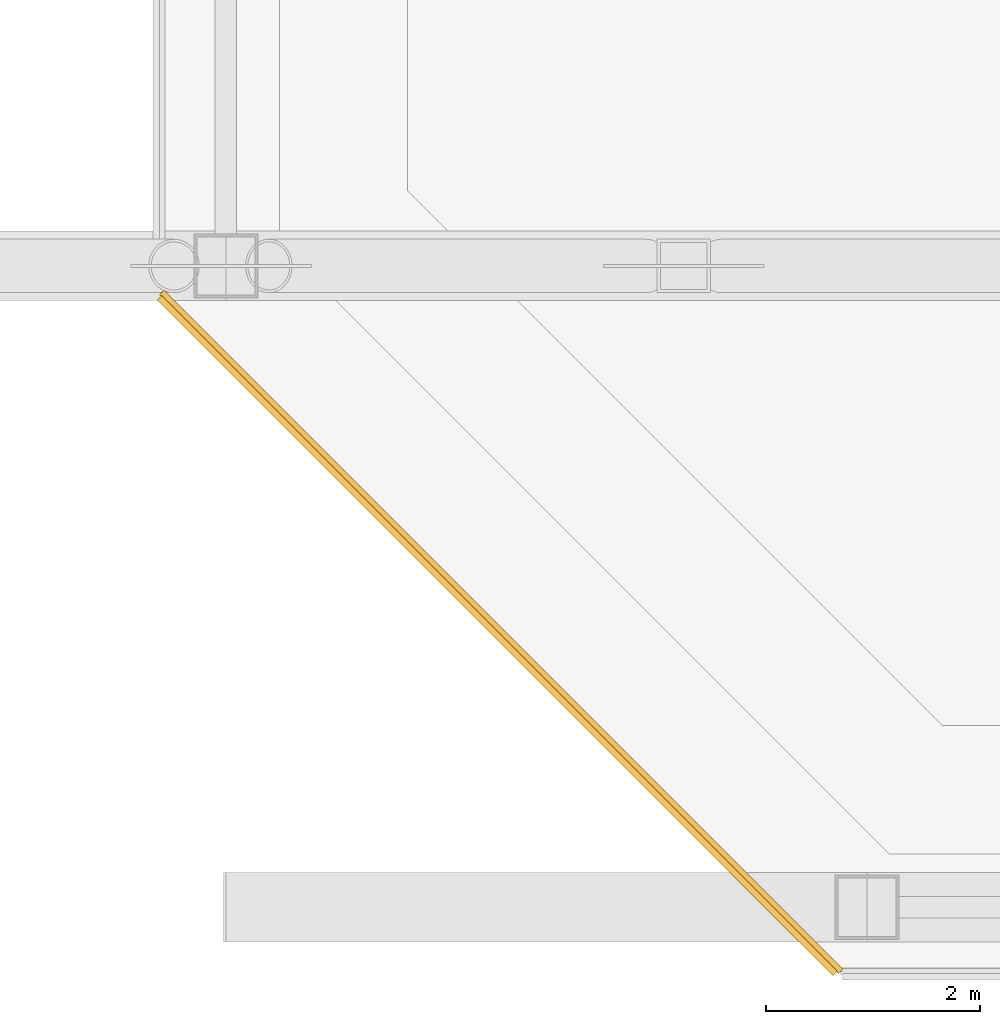
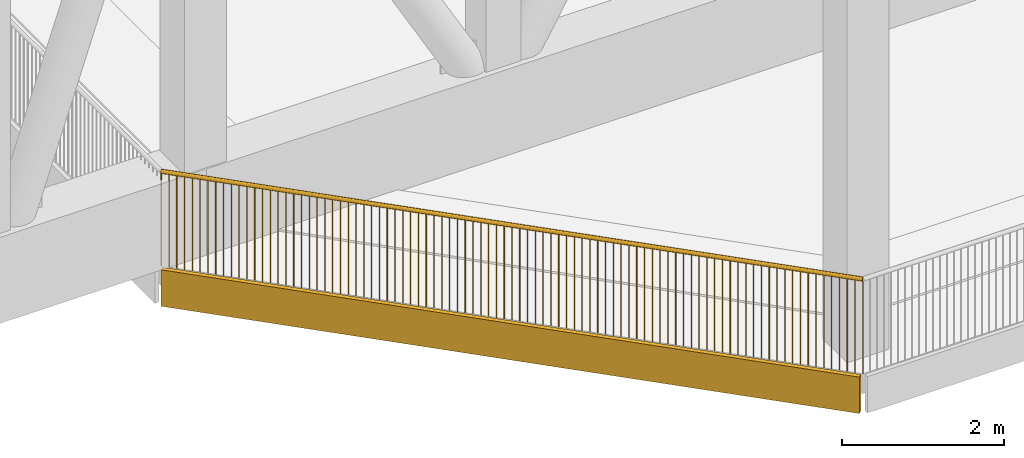
# One storey, part 16 of 22: 1 covering, 1 railing.
"""IFC4 building model written with IfcOpenShell, lengths in metres."""

import ifcopenshell
import ifcopenshell.guid

model = None  # the IFC model being written
_history = None  # IfcOwnerHistory: only IFC2X3 demands one
_inside = {}  # id of a spatial element -> (the spatial element, [elements in it])
_under = {}  # id of a project, library or spatial element -> (it, [spatial elements below it])
_declared = {}  # id of a project -> (the project, [libraries it declares])
_typed = {}  # id of a type object -> (the type object, [elements of that type])
_made_of = {}  # id of a material, layer set ... -> (it, [elements and type objects made of it])


def new_model(schema):
    """Start an empty IFC model of exactly this schema.

    Asked for "IFC4X3", IfcOpenShell would pick the latest addendum, in which some entities
    have other attributes; the version numbers below select the first issue.
    IFC2X3 requires an IfcOwnerHistory on every rooted entity: one is made here for all.
    """
    global model, _history
    if schema == "IFC4X3":
        model = ifcopenshell.file(schema_version=(4, 3, 0, 0))
    else:
        model = ifcopenshell.file(schema=schema)
    _inside.clear()
    _under.clear()
    _declared.clear()
    _typed.clear()
    _made_of.clear()
    _history = None
    if model.schema == "IFC2X3":
        org = make("IfcOrganization", Name="unknown")
        user = make(
            "IfcPersonAndOrganization",
            ThePerson=make("IfcPerson", FamilyName="unknown"),
            TheOrganization=org,
        )
        app = make(
            "IfcApplication",
            ApplicationDeveloper=org,
            Version="unknown",
            ApplicationFullName="unknown",
            ApplicationIdentifier="unknown",
        )
        _history = make(
            "IfcOwnerHistory",
            OwningUser=user,
            OwningApplication=app,
            ChangeAction="ADDED",
            CreationDate=0,
        )
    return model


def make(cls, **values):
    """One entity of the class cls with the attributes given. An attribute that is None is left unset."""
    return model.create_entity(
        cls, **{name: value for name, value in values.items() if value is not None}
    )


def rooted(cls, **values):
    """An entity with a GlobalId (a new one), such as an element, a storey or a relation."""
    return make(cls, GlobalId=ifcopenshell.guid.new(), OwnerHistory=_history, **values)


def si_unit(unit_type, name, prefix=None):
    """IfcSIUnit, for example si_unit("LENGTHUNIT", "METRE", prefix="MILLI")."""
    return make("IfcSIUnit", UnitType=unit_type, Prefix=prefix, Name=name)


def assignment(units):
    """IfcUnitAssignment: the units of a project."""
    return None if units is None else make("IfcUnitAssignment", Units=units)


def point(xyz):
    """IfcCartesianPoint."""
    return None if xyz is None else make("IfcCartesianPoint", Coordinates=xyz)


def direction(xyz):
    """IfcDirection."""
    return None if xyz is None else make("IfcDirection", DirectionRatios=xyz)


def frame(location, z_axis=None, x_axis=None):
    """IfcAxis2Placement3D, a coordinate frame: its origin and axes. An axis left out is left unset."""
    return make(
        "IfcAxis2Placement3D",
        Location=point(location),
        Axis=direction(z_axis),
        RefDirection=direction(x_axis),
    )


def frame_2d(location, x_axis=None):
    """IfcAxis2Placement2D, a coordinate frame in the plane: its origin and x axis."""
    return make(
        "IfcAxis2Placement2D", Location=point(location), RefDirection=direction(x_axis)
    )


def origin():
    """The frame at (0, 0, 0) with its axes left unset."""
    return frame((0.0, 0.0, 0.0))


def origin_2d():
    """The frame at (0, 0) in the plane with its x axis left unset."""
    return frame_2d((0.0, 0.0))


def place(relative_to, where):
    """IfcLocalPlacement: puts the frame where relative to a parent placement (None: the world)."""
    return make(
        "IfcLocalPlacement", PlacementRelTo=relative_to, RelativePlacement=where
    )


def context(
    kind, dimensions, precision=None, world=None, true_north=None, identifier=None
):
    """IfcGeometricRepresentationContext, for example the 3D "Model" context."""
    return make(
        "IfcGeometricRepresentationContext",
        ContextIdentifier=identifier,
        ContextType=kind,
        CoordinateSpaceDimension=dimensions,
        Precision=precision,
        WorldCoordinateSystem=world,
        TrueNorth=true_north,
    )


def subcontext(parent, identifier, kind, view, scale=None):
    """IfcGeometricRepresentationSubContext, for example "Body" below "Model"."""
    return make(
        "IfcGeometricRepresentationSubContext",
        ContextIdentifier=identifier,
        ContextType=kind,
        ParentContext=parent,
        TargetScale=scale,
        TargetView=view,
    )


def project(units=None, contexts=None):
    """IfcProject with its units and contexts."""
    return rooted(
        "IfcProject",
        Name="project",
        RepresentationContexts=contexts,
        UnitsInContext=assignment(units),
    )


def spatial(cls, under=None, at=None, **own):
    """A site, building, storey or space (cls), placed at a placement, below another one or the project."""
    s = rooted(cls, ObjectPlacement=at, **own)
    if under is not None:
        _under.setdefault(under.id(), (under, []))[1].append(s)
    return s


def polyline(points):
    """IfcPolyline through the points."""
    return make("IfcPolyline", Points=[point(p) for p in points])


def profile(cls, at=None, kind="AREA", **sizes):
    """A parametric profile (cls). Its sizes go by their IFC names, for example OverallWidth=200.0."""
    return make(cls, ProfileType=kind, Position=at, **sizes)


def circle(**sizes):
    """IfcCircleProfileDef."""
    return profile("IfcCircleProfileDef", **sizes)


def outline(outer, holes=None, kind="AREA"):
    """IfcArbitraryClosedProfileDef: a profile drawn as a closed curve; with holes, ...WithVoids."""
    if holes is None:
        return make("IfcArbitraryClosedProfileDef", ProfileType=kind, OuterCurve=outer)
    return make(
        "IfcArbitraryProfileDefWithVoids",
        ProfileType=kind,
        OuterCurve=outer,
        InnerCurves=holes,
    )


def extrude(swept, where, along, depth):
    """IfcExtrudedAreaSolid: the profile swept, set in the frame where, extruded along a direction by depth."""
    return make(
        "IfcExtrudedAreaSolid",
        SweptArea=swept,
        Position=where,
        ExtrudedDirection=direction(along),
        Depth=depth,
    )


def shape(context_of_items, identifier, shape_type, items):
    """IfcShapeRepresentation: the items that make up one representation, for example the "Body"."""
    return make(
        "IfcShapeRepresentation",
        ContextOfItems=context_of_items,
        RepresentationIdentifier=identifier,
        RepresentationType=shape_type,
        Items=items,
    )


def material(Name=None, Category=None):
    """IfcMaterial."""
    return make("IfcMaterial", Name=Name, Category=Category)


def layer(
    of_material, thickness, ventilated=None, Name=None, Category=None, Priority=None
):
    """IfcMaterialLayer: one layer of a wall or slab, of a material (None: an air gap)."""
    return make(
        "IfcMaterialLayer",
        Material=of_material,
        LayerThickness=thickness,
        IsVentilated=ventilated,
        Name=Name,
        Category=Category,
        Priority=Priority,
    )


def layer_set(layers, Name=None):
    """IfcMaterialLayerSet."""
    return make("IfcMaterialLayerSet", MaterialLayers=layers, LayerSetName=Name)


def made_of(thing, what):
    """Note that an element or type object is made of a material, layer set ...; save() writes the relation."""
    if what is not None:
        _made_of.setdefault(what.id(), (what, []))[1].append(thing)
    return thing


def type_object(cls, material=None, **own):
    """A type object (cls), such as IfcWallType, which elements share."""
    return made_of(rooted(cls, **own), material)


def element(
    cls,
    number,
    at=None,
    inside=None,
    cuts=None,
    type_object=None,
    material=None,
    context=None,
    identifier="Body",
    shape_type=None,
    held_by="IfcProductDefinitionShape",
    body=None,
    shapes=None,
    **own,
):
    """One element of the class cls, such as IfcWall. Its Tag is "e" and its number.

    at: its placement. inside: the storey or other place that contains it. cuts: it is an
    opening in that element (IfcRelVoidsElement). A single representation is given by context,
    identifier, shape_type and body (its items); several are given by shapes. held_by: the class
    of the entity that holds the representations. save() writes the other relations.
    """
    e = rooted(cls, Tag="e%d" % number, ObjectPlacement=at, **own)
    if body is not None:
        shapes = [shape(context, identifier, shape_type, body)]
    if shapes is not None:
        e.Representation = make(held_by, Representations=shapes)
    if inside is not None:
        _inside.setdefault(inside.id(), (inside, []))[1].append(e)
    if cuts is not None:
        rooted(
            "IfcRelVoidsElement", RelatingBuildingElement=cuts, RelatedOpeningElement=e
        )
    if type_object is not None:
        _typed.setdefault(type_object.id(), (type_object, []))[1].append(e)
    return made_of(e, material)


def aggregate(whole, parts):
    """IfcRelAggregates: a whole, such as a stair, and the parts it consists of."""
    return rooted("IfcRelAggregates", RelatingObject=whole, RelatedObjects=parts)


def save(model, path):
    """Write the relations noted so far, then the file.

    IfcRelAggregates (storeys below a building ...), IfcRelContainedInSpatialStructure (elements
    in a storey), IfcRelDefinesByType, IfcRelAssociatesMaterial and IfcRelDeclares: one each for
    every whole, place, type object, material and project.
    """
    for whole, parts in _under.values():
        aggregate(whole, parts)
    for where, things in _inside.values():
        rooted(
            "IfcRelContainedInSpatialStructure",
            RelatedElements=things,
            RelatingStructure=where,
        )
    for kind, things in _typed.values():
        rooted("IfcRelDefinesByType", RelatedObjects=things, RelatingType=kind)
    for what, things in _made_of.values():
        rooted("IfcRelAssociatesMaterial", RelatedObjects=things, RelatingMaterial=what)
    for by, libraries in _declared.values():
        rooted("IfcRelDeclares", RelatingContext=by, RelatedDefinitions=libraries)
    model.write(path)


model = new_model("IFC4")

# Units and contexts
model_context = context("Model", 3, precision=1e-05, world=origin(), true_north=direction((0.0, 1.0)))
body_context = subcontext(model_context, "Body", "Model", "MODEL_VIEW")
ifc_project = project(units=[si_unit("LENGTHUNIT", "METRE"), si_unit("AREAUNIT", "SQUARE_METRE"), si_unit("VOLUMEUNIT", "CUBIC_METRE"), si_unit("PLANEANGLEUNIT", "RADIAN"), si_unit("MASSUNIT", "GRAM", prefix="KILO")], contexts=[model_context])

# Site, building, storey
site_placement = place(None, origin())
site = spatial("IfcSite", under=ifc_project, at=site_placement, CompositionType="ELEMENT")
building_placement = place(site_placement, origin())
building = spatial("IfcBuilding", under=site, at=building_placement, Name="Sorahane Residences", CompositionType="ELEMENT")
storey_placement = place(building_placement, frame((0.0, 0.0, 281.800048828125)))
storey = spatial("IfcBuildingStorey", under=building, at=storey_placement, Name="L67", CompositionType="ELEMENT", Elevation=281.800048828125)

# Covering
ifc_material_1 = material(Name="White painted aluminium cladding", Category="aluminium")
ifc_layer = layer(ifc_material_1, 0.06005859375)
ifc_layer_set = layer_set([ifc_layer], Name="Slab edge fascia band white painted aluminium 550")
covering_type = type_object("IfcCoveringType", Name="Slab edge fascia band white painted aluminium 550", PredefinedType="CLADDING", material=ifc_layer_set)
covering_placement = place(storey_placement, frame((-12.5859375, 5.7373046875, -0.275146484375), z_axis=(0.707106781187, -0.707106781187, 0.0), x_axis=(0.707106781187, 0.707106781187, 0.0)))
element("IfcCovering", 1, at=covering_placement, inside=storey, type_object=covering_type, Name="Slab edge fascia white L67 SW1", PredefinedType="CLADDING", context=body_context, shape_type="SweptSolid", body=[
    extrude(outline(polyline([(-0.02001953125, 0.27490234375), (-0.080078125, 0.27490234375), (-0.080078125, -0.27490234375), (-0.02001953125, -0.27490234375), (-0.02001953125, 0.27490234375)])), origin(), (0.0, 0.0, 1.0), 8.9423828125),
])

# Railing
ifc_material_2 = material(Name="Black powder-coated steel", Category="steel")
railing_type = type_object("IfcRailingType", Name="Slot edge guard black steel bars 1460", PredefinedType="GUARDRAIL", material=ifc_material_2)
railing_placement = place(storey_placement, frame((-12.60009765625, 5.75146484375, 0.0)))
element("IfcRailing", 2, at=railing_placement, inside=storey, type_object=railing_type, Name="Slot edge guard L67.8", PredefinedType="GUARDRAIL", context=body_context, shape_type="SweptSolid", body=[
    extrude(circle(Radius=0.030029296875, at=origin_2d()), frame((0.0, 0.0, 1.429931640625), z_axis=(0.707106781187, -0.707106781187, 0.0), x_axis=(0.707106781187, 0.707106781187, 0.0)), (0.0, 0.0, 1.0), 8.982421875),
    extrude(circle(Radius=0.0068359375, at=origin_2d()), origin(), (0.0, 0.0, 1.0), 1.39990234375),
    extrude(circle(Radius=0.0068359375, at=origin_2d()), frame((0.070556640625, -0.070556640625, 0.0)), (0.0, 0.0, 1.0), 1.39990234375),
    extrude(circle(Radius=0.0068359375, at=origin_2d()), frame((0.14111328125, -0.14111328125, 0.0)), (0.0, 0.0, 1.0), 1.39990234375),
    extrude(circle(Radius=0.0068359375, at=origin_2d()), frame((0.211669921875, -0.211669921875, 0.0)), (0.0, 0.0, 1.0), 1.39990234375),
    extrude(circle(Radius=0.0068359375, at=origin_2d()), frame((0.2822265625, -0.2822265625, 0.0)), (0.0, 0.0, 1.0), 1.39990234375),
    extrude(circle(Radius=0.0068359375, at=origin_2d()), frame((0.352783203125, -0.352783203125, 0.0)), (0.0, 0.0, 1.0), 1.39990234375),
    extrude(circle(Radius=0.0068359375, at=origin_2d()), frame((0.42333984375, -0.42333984375, 0.0)), (0.0, 0.0, 1.0), 1.39990234375),
    extrude(circle(Radius=0.0068359375, at=origin_2d()), frame((0.493896484375, -0.493896484375, 0.0)), (0.0, 0.0, 1.0), 1.39990234375),
    extrude(circle(Radius=0.0068359375, at=origin_2d()), frame((0.564697265625, -0.564697265625, 0.0)), (0.0, 0.0, 1.0), 1.39990234375),
    extrude(circle(Radius=0.0068359375, at=origin_2d()), frame((0.63525390625, -0.63525390625, 0.0)), (0.0, 0.0, 1.0), 1.39990234375),
    extrude(circle(Radius=0.0068359375, at=origin_2d()), frame((0.705810546875, -0.705810546875, 0.0)), (0.0, 0.0, 1.0), 1.39990234375),
    extrude(circle(Radius=0.0068359375, at=origin_2d()), frame((0.7763671875, -0.7763671875, 0.0)), (0.0, 0.0, 1.0), 1.39990234375),
    extrude(circle(Radius=0.0068359375, at=origin_2d()), frame((0.846923828125, -0.846923828125, 0.0)), (0.0, 0.0, 1.0), 1.39990234375),
    extrude(circle(Radius=0.0068359375, at=origin_2d()), frame((0.91748046875, -0.91748046875, 0.0)), (0.0, 0.0, 1.0), 1.39990234375),
    extrude(circle(Radius=0.0068359375, at=origin_2d()), frame((0.988037109375, -0.988037109375, 0.0)), (0.0, 0.0, 1.0), 1.39990234375),
    extrude(circle(Radius=0.0068359375, at=origin_2d()), frame((1.05859375, -1.05859375, 0.0)), (0.0, 0.0, 1.0), 1.39990234375),
    extrude(circle(Radius=0.0068359375, at=origin_2d()), frame((1.129150390625, -1.129150390625, 0.0)), (0.0, 0.0, 1.0), 1.39990234375),
    extrude(circle(Radius=0.0068359375, at=origin_2d()), frame((1.19970703125, -1.19970703125, 0.0)), (0.0, 0.0, 1.0), 1.39990234375),
    extrude(circle(Radius=0.0068359375, at=origin_2d()), frame((1.270263671875, -1.270263671875, 0.0)), (0.0, 0.0, 1.0), 1.39990234375),
    extrude(circle(Radius=0.0068359375, at=origin_2d()), frame((1.3408203125, -1.3408203125, 0.0)), (0.0, 0.0, 1.0), 1.39990234375),
    extrude(circle(Radius=0.0068359375, at=origin_2d()), frame((1.411376953125, -1.411376953125, 0.0)), (0.0, 0.0, 1.0), 1.39990234375),
    extrude(circle(Radius=0.0068359375, at=origin_2d()), frame((1.48193359375, -1.48193359375, 0.0)), (0.0, 0.0, 1.0), 1.39990234375),
    extrude(circle(Radius=0.0068359375, at=origin_2d()), frame((1.552490234375, -1.552490234375, 0.0)), (0.0, 0.0, 1.0), 1.39990234375),
    extrude(circle(Radius=0.0068359375, at=origin_2d()), frame((1.623291015625, -1.623291015625, 0.0)), (0.0, 0.0, 1.0), 1.39990234375),
    extrude(circle(Radius=0.0068359375, at=origin_2d()), frame((1.69384765625, -1.69384765625, 0.0)), (0.0, 0.0, 1.0), 1.39990234375),
    extrude(circle(Radius=0.0068359375, at=origin_2d()), frame((1.764404296875, -1.764404296875, 0.0)), (0.0, 0.0, 1.0), 1.39990234375),
    extrude(circle(Radius=0.0068359375, at=origin_2d()), frame((1.8349609375, -1.8349609375, 0.0)), (0.0, 0.0, 1.0), 1.39990234375),
    extrude(circle(Radius=0.0068359375, at=origin_2d()), frame((1.905517578125, -1.905517578125, 0.0)), (0.0, 0.0, 1.0), 1.39990234375),
    extrude(circle(Radius=0.0068359375, at=origin_2d()), frame((1.97607421875, -1.97607421875, 0.0)), (0.0, 0.0, 1.0), 1.39990234375),
    extrude(circle(Radius=0.0068359375, at=origin_2d()), frame((2.046630859375, -2.046630859375, 0.0)), (0.0, 0.0, 1.0), 1.39990234375),
    extrude(circle(Radius=0.0068359375, at=origin_2d()), frame((2.1171875, -2.1171875, 0.0)), (0.0, 0.0, 1.0), 1.39990234375),
    extrude(circle(Radius=0.0068359375, at=origin_2d()), frame((2.187744140625, -2.187744140625, 0.0)), (0.0, 0.0, 1.0), 1.39990234375),
    extrude(circle(Radius=0.0068359375, at=origin_2d()), frame((2.25830078125, -2.25830078125, 0.0)), (0.0, 0.0, 1.0), 1.39990234375),
    extrude(circle(Radius=0.0068359375, at=origin_2d()), frame((2.328857421875, -2.328857421875, 0.0)), (0.0, 0.0, 1.0), 1.39990234375),
    extrude(circle(Radius=0.0068359375, at=origin_2d()), frame((2.3994140625, -2.3994140625, 0.0)), (0.0, 0.0, 1.0), 1.39990234375),
    extrude(circle(Radius=0.0068359375, at=origin_2d()), frame((2.469970703125, -2.469970703125, 0.0)), (0.0, 0.0, 1.0), 1.39990234375),
    extrude(circle(Radius=0.0068359375, at=origin_2d()), frame((2.54052734375, -2.54052734375, 0.0)), (0.0, 0.0, 1.0), 1.39990234375),
    extrude(circle(Radius=0.0068359375, at=origin_2d()), frame((2.611083984375, -2.611083984375, 0.0)), (0.0, 0.0, 1.0), 1.39990234375),
    extrude(circle(Radius=0.0068359375, at=origin_2d()), frame((2.681884765625, -2.681884765625, 0.0)), (0.0, 0.0, 1.0), 1.39990234375),
    extrude(circle(Radius=0.0068359375, at=origin_2d()), frame((2.75244140625, -2.75244140625, 0.0)), (0.0, 0.0, 1.0), 1.39990234375),
    extrude(circle(Radius=0.0068359375, at=origin_2d()), frame((2.822998046875, -2.822998046875, 0.0)), (0.0, 0.0, 1.0), 1.39990234375),
    extrude(circle(Radius=0.0068359375, at=origin_2d()), frame((2.8935546875, -2.8935546875, 0.0)), (0.0, 0.0, 1.0), 1.39990234375),
    extrude(circle(Radius=0.0068359375, at=origin_2d()), frame((2.964111328125, -2.964111328125, 0.0)), (0.0, 0.0, 1.0), 1.39990234375),
    extrude(circle(Radius=0.0068359375, at=origin_2d()), frame((3.03466796875, -3.03466796875, 0.0)), (0.0, 0.0, 1.0), 1.39990234375),
    extrude(circle(Radius=0.0068359375, at=origin_2d()), frame((3.105224609375, -3.105224609375, 0.0)), (0.0, 0.0, 1.0), 1.39990234375),
    extrude(circle(Radius=0.0068359375, at=origin_2d()), frame((3.17578125, -3.17578125, 0.0)), (0.0, 0.0, 1.0), 1.39990234375),
    extrude(circle(Radius=0.0068359375, at=origin_2d()), frame((3.246337890625, -3.246337890625, 0.0)), (0.0, 0.0, 1.0), 1.39990234375),
    extrude(circle(Radius=0.0068359375, at=origin_2d()), frame((3.31689453125, -3.31689453125, 0.0)), (0.0, 0.0, 1.0), 1.39990234375),
    extrude(circle(Radius=0.0068359375, at=origin_2d()), frame((3.387451171875, -3.387451171875, 0.0)), (0.0, 0.0, 1.0), 1.39990234375),
    extrude(circle(Radius=0.0068359375, at=origin_2d()), frame((3.4580078125, -3.4580078125, 0.0)), (0.0, 0.0, 1.0), 1.39990234375),
    extrude(circle(Radius=0.0068359375, at=origin_2d()), frame((3.528564453125, -3.528564453125, 0.0)), (0.0, 0.0, 1.0), 1.39990234375),
    extrude(circle(Radius=0.0068359375, at=origin_2d()), frame((3.59912109375, -3.59912109375, 0.0)), (0.0, 0.0, 1.0), 1.39990234375),
    extrude(circle(Radius=0.0068359375, at=origin_2d()), frame((3.669677734375, -3.669677734375, 0.0)), (0.0, 0.0, 1.0), 1.39990234375),
    extrude(circle(Radius=0.0068359375, at=origin_2d()), frame((3.740478515625, -3.740478515625, 0.0)), (0.0, 0.0, 1.0), 1.39990234375),
    extrude(circle(Radius=0.0068359375, at=origin_2d()), frame((3.81103515625, -3.81103515625, 0.0)), (0.0, 0.0, 1.0), 1.39990234375),
    extrude(circle(Radius=0.0068359375, at=origin_2d()), frame((3.881591796875, -3.881591796875, 0.0)), (0.0, 0.0, 1.0), 1.39990234375),
    extrude(circle(Radius=0.0068359375, at=origin_2d()), frame((3.9521484375, -3.9521484375, 0.0)), (0.0, 0.0, 1.0), 1.39990234375),
    extrude(circle(Radius=0.0068359375, at=origin_2d()), frame((4.022705078125, -4.022705078125, 0.0)), (0.0, 0.0, 1.0), 1.39990234375),
    extrude(circle(Radius=0.0068359375, at=origin_2d()), frame((4.09326171875, -4.09326171875, 0.0)), (0.0, 0.0, 1.0), 1.39990234375),
    extrude(circle(Radius=0.0068359375, at=origin_2d()), frame((4.163818359375, -4.163818359375, 0.0)), (0.0, 0.0, 1.0), 1.39990234375),
    extrude(circle(Radius=0.0068359375, at=origin_2d()), frame((4.234375, -4.234375, 0.0)), (0.0, 0.0, 1.0), 1.39990234375),
    extrude(circle(Radius=0.0068359375, at=origin_2d()), frame((4.304931640625, -4.304931640625, 0.0)), (0.0, 0.0, 1.0), 1.39990234375),
    extrude(circle(Radius=0.0068359375, at=origin_2d()), frame((4.37548828125, -4.37548828125, 0.0)), (0.0, 0.0, 1.0), 1.39990234375),
    extrude(circle(Radius=0.0068359375, at=origin_2d()), frame((4.446044921875, -4.446044921875, 0.0)), (0.0, 0.0, 1.0), 1.39990234375),
    extrude(circle(Radius=0.0068359375, at=origin_2d()), frame((4.5166015625, -4.5166015625, 0.0)), (0.0, 0.0, 1.0), 1.39990234375),
    extrude(circle(Radius=0.0068359375, at=origin_2d()), frame((4.587158203125, -4.587158203125, 0.0)), (0.0, 0.0, 1.0), 1.39990234375),
    extrude(circle(Radius=0.0068359375, at=origin_2d()), frame((4.65771484375, -4.65771484375, 0.0)), (0.0, 0.0, 1.0), 1.39990234375),
    extrude(circle(Radius=0.0068359375, at=origin_2d()), frame((4.728271484375, -4.728271484375, 0.0)), (0.0, 0.0, 1.0), 1.39990234375),
    extrude(circle(Radius=0.0068359375, at=origin_2d()), frame((4.799072265625, -4.799072265625, 0.0)), (0.0, 0.0, 1.0), 1.39990234375),
    extrude(circle(Radius=0.0068359375, at=origin_2d()), frame((4.86962890625, -4.86962890625, 0.0)), (0.0, 0.0, 1.0), 1.39990234375),
    extrude(circle(Radius=0.0068359375, at=origin_2d()), frame((4.940185546875, -4.940185546875, 0.0)), (0.0, 0.0, 1.0), 1.39990234375),
    extrude(circle(Radius=0.0068359375, at=origin_2d()), frame((5.0107421875, -5.0107421875, 0.0)), (0.0, 0.0, 1.0), 1.39990234375),
    extrude(circle(Radius=0.0068359375, at=origin_2d()), frame((5.081298828125, -5.081298828125, 0.0)), (0.0, 0.0, 1.0), 1.39990234375),
    extrude(circle(Radius=0.0068359375, at=origin_2d()), frame((5.15185546875, -5.15185546875, 0.0)), (0.0, 0.0, 1.0), 1.39990234375),
    extrude(circle(Radius=0.0068359375, at=origin_2d()), frame((5.222412109375, -5.222412109375, 0.0)), (0.0, 0.0, 1.0), 1.39990234375),
    extrude(circle(Radius=0.0068359375, at=origin_2d()), frame((5.29296875, -5.29296875, 0.0)), (0.0, 0.0, 1.0), 1.39990234375),
    extrude(circle(Radius=0.0068359375, at=origin_2d()), frame((5.363525390625, -5.363525390625, 0.0)), (0.0, 0.0, 1.0), 1.39990234375),
    extrude(circle(Radius=0.0068359375, at=origin_2d()), frame((5.43408203125, -5.43408203125, 0.0)), (0.0, 0.0, 1.0), 1.39990234375),
    extrude(circle(Radius=0.0068359375, at=origin_2d()), frame((5.504638671875, -5.504638671875, 0.0)), (0.0, 0.0, 1.0), 1.39990234375),
    extrude(circle(Radius=0.0068359375, at=origin_2d()), frame((5.5751953125, -5.5751953125, 0.0)), (0.0, 0.0, 1.0), 1.39990234375),
    extrude(circle(Radius=0.0068359375, at=origin_2d()), frame((5.645751953125, -5.645751953125, 0.0)), (0.0, 0.0, 1.0), 1.39990234375),
    extrude(circle(Radius=0.0068359375, at=origin_2d()), frame((5.71630859375, -5.71630859375, 0.0)), (0.0, 0.0, 1.0), 1.39990234375),
    extrude(circle(Radius=0.0068359375, at=origin_2d()), frame((5.786865234375, -5.786865234375, 0.0)), (0.0, 0.0, 1.0), 1.39990234375),
    extrude(circle(Radius=0.0068359375, at=origin_2d()), frame((5.857666015625, -5.857666015625, 0.0)), (0.0, 0.0, 1.0), 1.39990234375),
    extrude(circle(Radius=0.0068359375, at=origin_2d()), frame((5.92822265625, -5.92822265625, 0.0)), (0.0, 0.0, 1.0), 1.39990234375),
    extrude(circle(Radius=0.0068359375, at=origin_2d()), frame((5.998779296875, -5.998779296875, 0.0)), (0.0, 0.0, 1.0), 1.39990234375),
    extrude(circle(Radius=0.0068359375, at=origin_2d()), frame((6.0693359375, -6.0693359375, 0.0)), (0.0, 0.0, 1.0), 1.39990234375),
    extrude(circle(Radius=0.0068359375, at=origin_2d()), frame((6.139892578125, -6.139892578125, 0.0)), (0.0, 0.0, 1.0), 1.39990234375),
    extrude(circle(Radius=0.0068359375, at=origin_2d()), frame((6.21044921875, -6.21044921875, 0.0)), (0.0, 0.0, 1.0), 1.39990234375),
    extrude(circle(Radius=0.0068359375, at=origin_2d()), frame((6.281005859375, -6.281005859375, 0.0)), (0.0, 0.0, 1.0), 1.39990234375),
    extrude(circle(Radius=0.0068359375, at=origin_2d()), frame((6.3515625, -6.3515625, 0.0)), (0.0, 0.0, 1.0), 1.39990234375),
])

save(model, "model.ifc")
